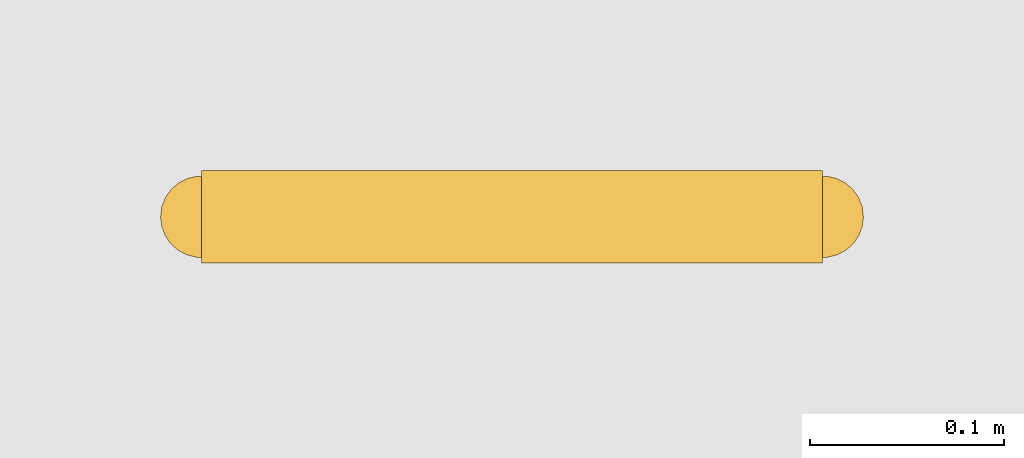
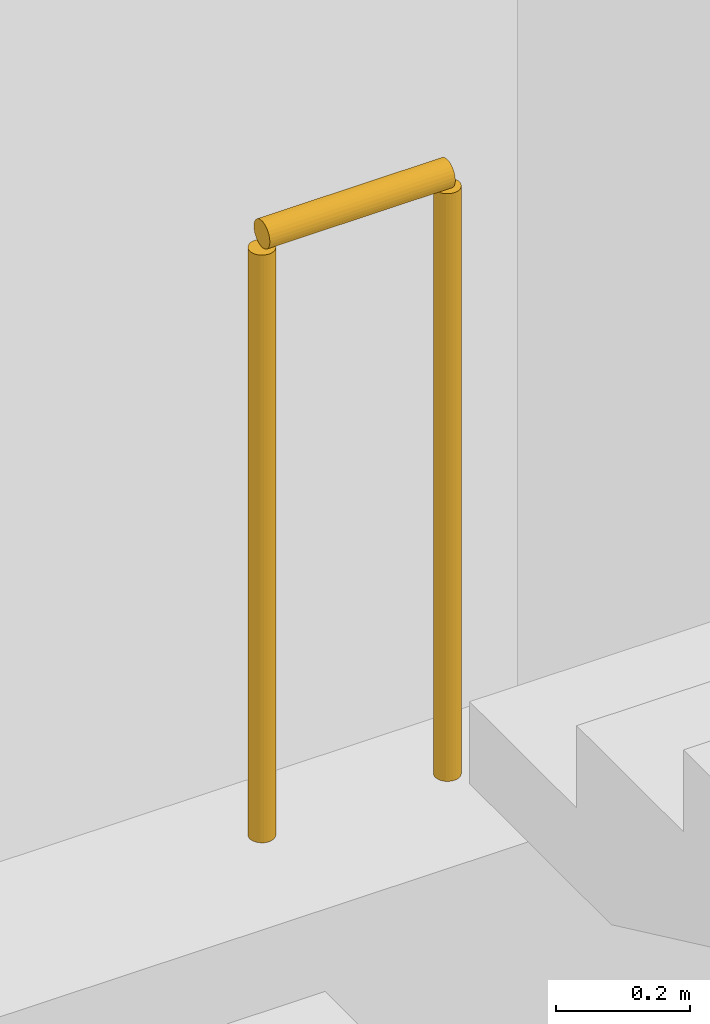
# One storey, part 72 of 79: 1 railing.
"""IFC4 building model written with IfcOpenShell, lengths in metres."""

from ifc_helpers import new_model, si_unit, direction, frame, origin, origin_2d, place, context, subcontext, project, spatial, circle, extrude, material, type_object, element, save


model = new_model("IFC4")

# Units and contexts
model_context = context("Model", 3, precision=1e-05, world=origin(), true_north=direction((0.0, 1.0)))
body_context = subcontext(model_context, "Body", "Model", "MODEL_VIEW")
ifc_project = project(units=[si_unit("LENGTHUNIT", "METRE"), si_unit("AREAUNIT", "SQUARE_METRE"), si_unit("VOLUMEUNIT", "CUBIC_METRE"), si_unit("PLANEANGLEUNIT", "RADIAN"), si_unit("MASSUNIT", "GRAM", prefix="KILO"), si_unit("THERMODYNAMICTEMPERATUREUNIT", "KELVIN"), si_unit("POWERUNIT", "WATT")], contexts=[model_context])

# Site, building, storey
site_placement = place(None, origin())
site = spatial("IfcSite", under=ifc_project, at=site_placement, CompositionType="ELEMENT")
building_placement = place(site_placement, origin())
building = spatial("IfcBuilding", under=site, at=building_placement, Name="Srebrne Nadtorze General Hospital", CompositionType="ELEMENT")
storey_placement = place(building_placement, frame((0.0, 0.0, 4.800048828125)))
storey = spatial("IfcBuildingStorey", under=building, at=storey_placement, Name="L01", CompositionType="ELEMENT", Elevation=4.800048828125)

# Railing
ifc_material = material(Name="Stainless Steel 316", Category="steel")
railing_type = type_object("IfcRailingType", Name="Stairwell safety guard 1120", PredefinedType="BALUSTRADE", material=ifc_material)
railing_placement = place(storey_placement, frame((104.1650390625, 61.239990234375, 2.39990234375)))
element("IfcRailing", 1, at=railing_placement, inside=storey, type_object=railing_type, Name="Half landing well guard ST-03-L01", PredefinedType="BALUSTRADE", context=body_context, shape_type="SweptSolid", body=[
    extrude(circle(Radius=0.02392578125, at=origin_2d()), frame((0.0, 0.0, 1.09619140625), z_axis=(1.0, 0.0, 0.0), x_axis=(0.0, 1.0, 0.0)), (0.0, 0.0, 1.0), 0.320068359375),
    extrude(circle(Radius=0.02099609375, at=origin_2d()), origin(), (0.0, 0.0, 1.0), 1.072021484375),
    extrude(circle(Radius=0.02099609375, at=origin_2d()), frame((0.320068359375, 0.0, 0.0)), (0.0, 0.0, 1.0), 1.072021484375),
])

save(model, "model.ifc")
